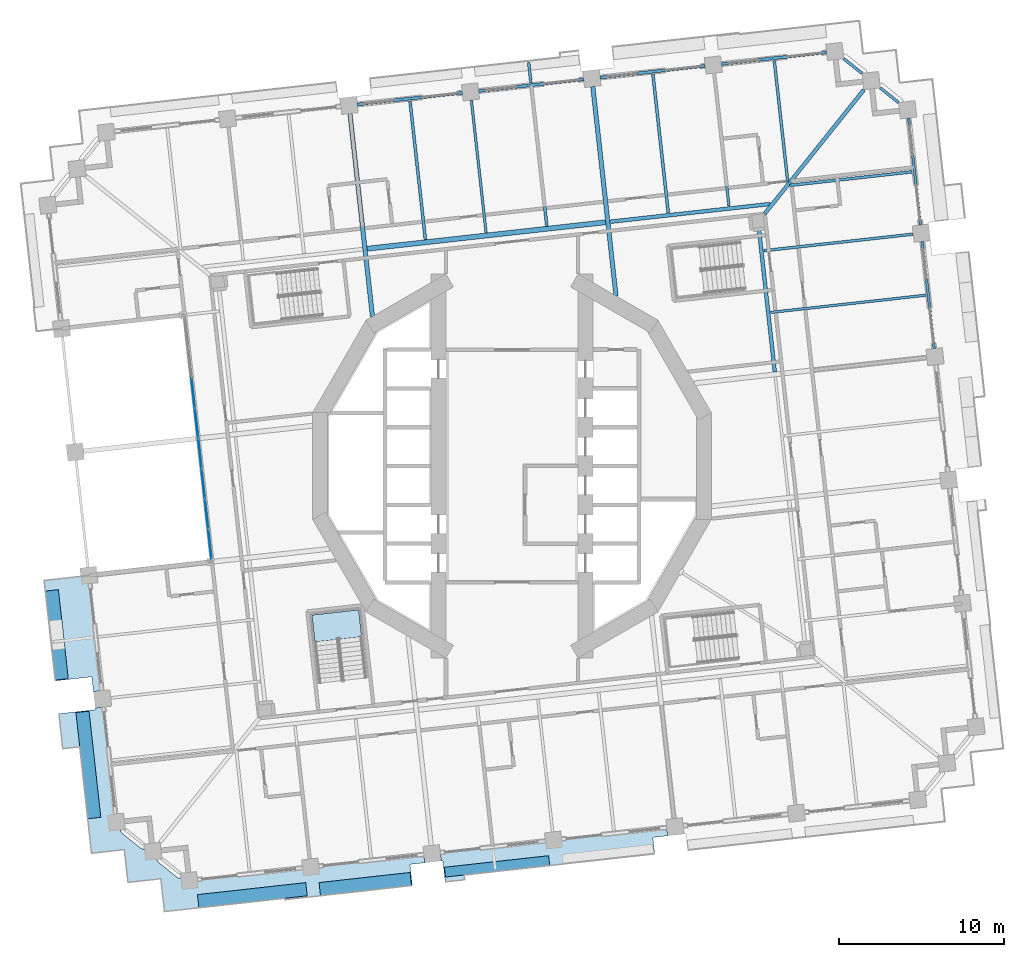
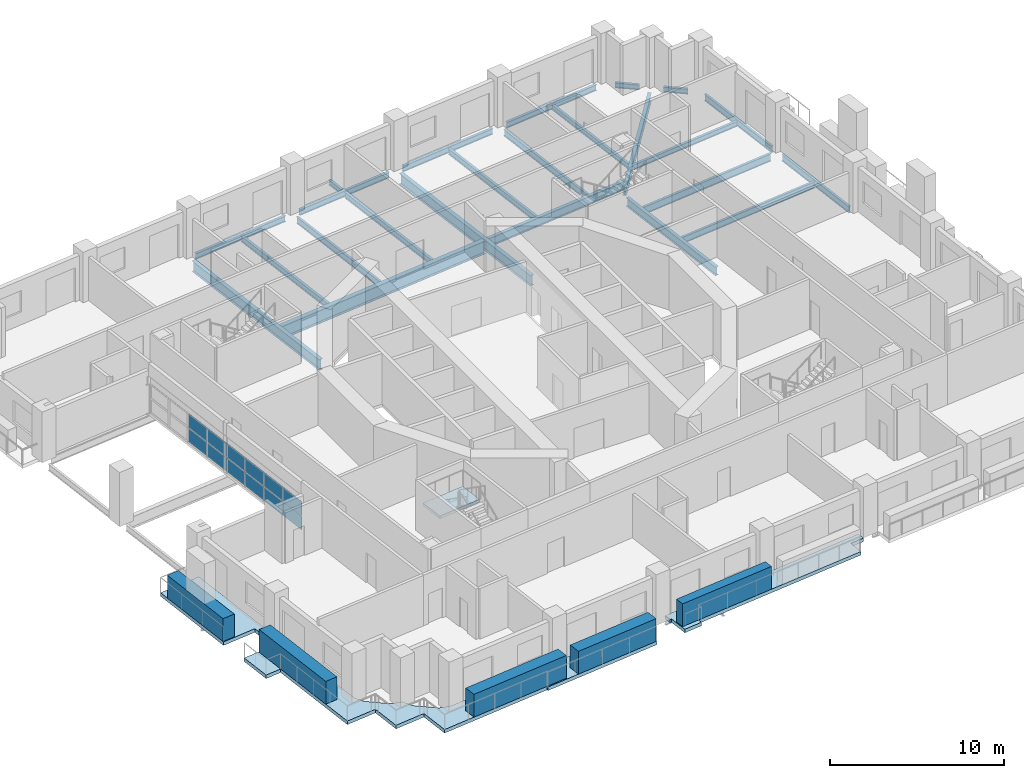
# One storey, part 5 of 21: 24 beams, 17 plates, 4 slabs, 2 elements without a shape of their own.
"""IFC4 building model written with IfcOpenShell, lengths in metres."""

import ifcopenshell
import ifcopenshell.guid

model = None  # the IFC model being written
_history = None  # IfcOwnerHistory: only IFC2X3 demands one
_inside = {}  # id of a spatial element -> (the spatial element, [elements in it])
_under = {}  # id of a project, library or spatial element -> (it, [spatial elements below it])
_declared = {}  # id of a project -> (the project, [libraries it declares])
_typed = {}  # id of a type object -> (the type object, [elements of that type])
_made_of = {}  # id of a material, layer set ... -> (it, [elements and type objects made of it])


def new_model(schema):
    """Start an empty IFC model of exactly this schema.

    Asked for "IFC4X3", IfcOpenShell would pick the latest addendum, in which some entities
    have other attributes; the version numbers below select the first issue.
    IFC2X3 requires an IfcOwnerHistory on every rooted entity: one is made here for all.
    """
    global model, _history
    if schema == "IFC4X3":
        model = ifcopenshell.file(schema_version=(4, 3, 0, 0))
    else:
        model = ifcopenshell.file(schema=schema)
    _inside.clear()
    _under.clear()
    _declared.clear()
    _typed.clear()
    _made_of.clear()
    _history = None
    if model.schema == "IFC2X3":
        org = make("IfcOrganization", Name="unknown")
        user = make(
            "IfcPersonAndOrganization",
            ThePerson=make("IfcPerson", FamilyName="unknown"),
            TheOrganization=org,
        )
        app = make(
            "IfcApplication",
            ApplicationDeveloper=org,
            Version="unknown",
            ApplicationFullName="unknown",
            ApplicationIdentifier="unknown",
        )
        _history = make(
            "IfcOwnerHistory",
            OwningUser=user,
            OwningApplication=app,
            ChangeAction="ADDED",
            CreationDate=0,
        )
    return model


def make(cls, **values):
    """One entity of the class cls with the attributes given. An attribute that is None is left unset."""
    return model.create_entity(
        cls, **{name: value for name, value in values.items() if value is not None}
    )


def rooted(cls, **values):
    """An entity with a GlobalId (a new one), such as an element, a storey or a relation."""
    return make(cls, GlobalId=ifcopenshell.guid.new(), OwnerHistory=_history, **values)


def si_unit(unit_type, name, prefix=None):
    """IfcSIUnit, for example si_unit("LENGTHUNIT", "METRE", prefix="MILLI")."""
    return make("IfcSIUnit", UnitType=unit_type, Prefix=prefix, Name=name)


def assignment(units):
    """IfcUnitAssignment: the units of a project."""
    return None if units is None else make("IfcUnitAssignment", Units=units)


def point(xyz):
    """IfcCartesianPoint."""
    return None if xyz is None else make("IfcCartesianPoint", Coordinates=xyz)


def direction(xyz):
    """IfcDirection."""
    return None if xyz is None else make("IfcDirection", DirectionRatios=xyz)


def frame(location, z_axis=None, x_axis=None):
    """IfcAxis2Placement3D, a coordinate frame: its origin and axes. An axis left out is left unset."""
    return make(
        "IfcAxis2Placement3D",
        Location=point(location),
        Axis=direction(z_axis),
        RefDirection=direction(x_axis),
    )


def frame_2d(location, x_axis=None):
    """IfcAxis2Placement2D, a coordinate frame in the plane: its origin and x axis."""
    return make(
        "IfcAxis2Placement2D", Location=point(location), RefDirection=direction(x_axis)
    )


def origin():
    """The frame at (0, 0, 0) with its axes left unset."""
    return frame((0.0, 0.0, 0.0))


def origin_2d():
    """The frame at (0, 0) in the plane with its x axis left unset."""
    return frame_2d((0.0, 0.0))


def place(relative_to, where):
    """IfcLocalPlacement: puts the frame where relative to a parent placement (None: the world)."""
    return make(
        "IfcLocalPlacement", PlacementRelTo=relative_to, RelativePlacement=where
    )


def context(
    kind, dimensions, precision=None, world=None, true_north=None, identifier=None
):
    """IfcGeometricRepresentationContext, for example the 3D "Model" context."""
    return make(
        "IfcGeometricRepresentationContext",
        ContextIdentifier=identifier,
        ContextType=kind,
        CoordinateSpaceDimension=dimensions,
        Precision=precision,
        WorldCoordinateSystem=world,
        TrueNorth=true_north,
    )


def subcontext(parent, identifier, kind, view, scale=None):
    """IfcGeometricRepresentationSubContext, for example "Body" below "Model"."""
    return make(
        "IfcGeometricRepresentationSubContext",
        ContextIdentifier=identifier,
        ContextType=kind,
        ParentContext=parent,
        TargetScale=scale,
        TargetView=view,
    )


def project(units=None, contexts=None):
    """IfcProject with its units and contexts."""
    return rooted(
        "IfcProject",
        Name="project",
        RepresentationContexts=contexts,
        UnitsInContext=assignment(units),
    )


def spatial(cls, under=None, at=None, **own):
    """A site, building, storey or space (cls), placed at a placement, below another one or the project."""
    s = rooted(cls, ObjectPlacement=at, **own)
    if under is not None:
        _under.setdefault(under.id(), (under, []))[1].append(s)
    return s


def polyline(points):
    """IfcPolyline through the points."""
    return make("IfcPolyline", Points=[point(p) for p in points])


def profile(cls, at=None, kind="AREA", **sizes):
    """A parametric profile (cls). Its sizes go by their IFC names, for example OverallWidth=200.0."""
    return make(cls, ProfileType=kind, Position=at, **sizes)


def rectangle(**sizes):
    """IfcRectangleProfileDef."""
    return profile("IfcRectangleProfileDef", **sizes)


def i_section(**sizes):
    """IfcIShapeProfileDef."""
    return profile("IfcIShapeProfileDef", **sizes)


def outline(outer, holes=None, kind="AREA"):
    """IfcArbitraryClosedProfileDef: a profile drawn as a closed curve; with holes, ...WithVoids."""
    if holes is None:
        return make("IfcArbitraryClosedProfileDef", ProfileType=kind, OuterCurve=outer)
    return make(
        "IfcArbitraryProfileDefWithVoids",
        ProfileType=kind,
        OuterCurve=outer,
        InnerCurves=holes,
    )


def extrude(swept, where, along, depth):
    """IfcExtrudedAreaSolid: the profile swept, set in the frame where, extruded along a direction by depth."""
    return make(
        "IfcExtrudedAreaSolid",
        SweptArea=swept,
        Position=where,
        ExtrudedDirection=direction(along),
        Depth=depth,
    )


def shape(context_of_items, identifier, shape_type, items):
    """IfcShapeRepresentation: the items that make up one representation, for example the "Body"."""
    return make(
        "IfcShapeRepresentation",
        ContextOfItems=context_of_items,
        RepresentationIdentifier=identifier,
        RepresentationType=shape_type,
        Items=items,
    )


def material(Name=None, Category=None):
    """IfcMaterial."""
    return make("IfcMaterial", Name=Name, Category=Category)


def layer(
    of_material, thickness, ventilated=None, Name=None, Category=None, Priority=None
):
    """IfcMaterialLayer: one layer of a wall or slab, of a material (None: an air gap)."""
    return make(
        "IfcMaterialLayer",
        Material=of_material,
        LayerThickness=thickness,
        IsVentilated=ventilated,
        Name=Name,
        Category=Category,
        Priority=Priority,
    )


def layer_set(layers, Name=None):
    """IfcMaterialLayerSet."""
    return make("IfcMaterialLayerSet", MaterialLayers=layers, LayerSetName=Name)


def material_profile(
    of_material, cross_section, Name=None, Category=None, Priority=None
):
    """IfcMaterialProfile: a cross section and its material."""
    return make(
        "IfcMaterialProfile",
        Name=Name,
        Material=of_material,
        Profile=cross_section,
        Priority=Priority,
        Category=Category,
    )


def profile_set(profiles, Name=None, composite=None):
    """IfcMaterialProfileSet."""
    return make(
        "IfcMaterialProfileSet",
        Name=Name,
        MaterialProfiles=profiles,
        CompositeProfile=composite,
    )


def made_of(thing, what):
    """Note that an element or type object is made of a material, layer set ...; save() writes the relation."""
    if what is not None:
        _made_of.setdefault(what.id(), (what, []))[1].append(thing)
    return thing


def type_object(cls, material=None, **own):
    """A type object (cls), such as IfcWallType, which elements share."""
    return made_of(rooted(cls, **own), material)


def element(
    cls,
    number,
    at=None,
    inside=None,
    cuts=None,
    type_object=None,
    material=None,
    context=None,
    identifier="Body",
    shape_type=None,
    held_by="IfcProductDefinitionShape",
    body=None,
    shapes=None,
    **own,
):
    """One element of the class cls, such as IfcWall. Its Tag is "e" and its number.

    at: its placement. inside: the storey or other place that contains it. cuts: it is an
    opening in that element (IfcRelVoidsElement). A single representation is given by context,
    identifier, shape_type and body (its items); several are given by shapes. held_by: the class
    of the entity that holds the representations. save() writes the other relations.
    """
    e = rooted(cls, Tag="e%d" % number, ObjectPlacement=at, **own)
    if body is not None:
        shapes = [shape(context, identifier, shape_type, body)]
    if shapes is not None:
        e.Representation = make(held_by, Representations=shapes)
    if inside is not None:
        _inside.setdefault(inside.id(), (inside, []))[1].append(e)
    if cuts is not None:
        rooted(
            "IfcRelVoidsElement", RelatingBuildingElement=cuts, RelatedOpeningElement=e
        )
    if type_object is not None:
        _typed.setdefault(type_object.id(), (type_object, []))[1].append(e)
    return made_of(e, material)


def aggregate(whole, parts):
    """IfcRelAggregates: a whole, such as a stair, and the parts it consists of."""
    return rooted("IfcRelAggregates", RelatingObject=whole, RelatedObjects=parts)


def save(model, path):
    """Write the relations noted so far, then the file.

    IfcRelAggregates (storeys below a building ...), IfcRelContainedInSpatialStructure (elements
    in a storey), IfcRelDefinesByType, IfcRelAssociatesMaterial and IfcRelDeclares: one each for
    every whole, place, type object, material and project.
    """
    for whole, parts in _under.values():
        aggregate(whole, parts)
    for where, things in _inside.values():
        rooted(
            "IfcRelContainedInSpatialStructure",
            RelatedElements=things,
            RelatingStructure=where,
        )
    for kind, things in _typed.values():
        rooted("IfcRelDefinesByType", RelatedObjects=things, RelatingType=kind)
    for what, things in _made_of.values():
        rooted("IfcRelAssociatesMaterial", RelatedObjects=things, RelatingMaterial=what)
    for by, libraries in _declared.values():
        rooted("IfcRelDeclares", RelatingContext=by, RelatedDefinitions=libraries)
    model.write(path)


model = new_model("IFC4")

# Units and contexts
model_context = context("Model", 3, precision=1e-05, world=origin(), true_north=direction((0.0, 1.0)))
body_context = subcontext(model_context, "Body", "Model", "MODEL_VIEW")
ifc_project = project(units=[si_unit("LENGTHUNIT", "METRE"), si_unit("AREAUNIT", "SQUARE_METRE"), si_unit("VOLUMEUNIT", "CUBIC_METRE"), si_unit("PLANEANGLEUNIT", "RADIAN"), si_unit("MASSUNIT", "GRAM", prefix="KILO")], contexts=[model_context])

# Site, building, storey
site_placement = place(None, origin())
site = spatial("IfcSite", under=ifc_project, at=site_placement, CompositionType="ELEMENT")
building_placement = place(site_placement, origin())
building = spatial("IfcBuilding", under=site, at=building_placement, Name="Cantera Rosa Tower", CompositionType="ELEMENT")
storey_placement = place(building_placement, frame((0.0, 0.0, 69.10009765625)))
storey = spatial("IfcBuildingStorey", under=building, at=storey_placement, Name="L14", CompositionType="ELEMENT", Elevation=69.10009765625)

# Beams
ifc_material_1 = material(Name="Steel ASTM A992 (Fy 345 MPa)", Category="steel")
ifc_material_profile_1 = material_profile(ifc_material_1, i_section(OverallWidth=0.154052734375, OverallDepth=0.4599609375, WebThickness=0.009033203125, FlangeThickness=0.015380859375, FilletRadius=0.01025390625, at=origin_2d()), Name="W460X68")
ifc_profile_set_1 = profile_set([ifc_material_profile_1], Name="Steel ASTM A992 (Fy 345 MPa)")
beam_type_1 = type_object("IfcBeamType", Name="STEEL BEAM W460X68", PredefinedType="BEAM", material=ifc_profile_set_1)
beam_1_placement = place(storey_placement, frame((12.249755859375, 23.796630859375, -0.47998046875), z_axis=(0.110312435488, -0.993896959738, 0.0), x_axis=(0.993896959738, 0.110312435488, 0.0)))
element("IfcBeam", 1, at=beam_1_placement, inside=storey, type_object=beam_type_1, Name="G-Z1-05 L14", PredefinedType="BEAM", context=body_context, shape_type="SweptSolid", body=[
    extrude(i_section(OverallWidth=0.154052734375, OverallDepth=0.4599609375, WebThickness=0.009033203125, FlangeThickness=0.015380859375, FilletRadius=0.01025390625, at=origin_2d()), origin(), (0.0, 0.0, 1.0), 8.10009765625),
])
beam_2_placement = place(storey_placement, frame((-2.4599609375, 22.163818359375, -0.47998046875), z_axis=(0.110315740112, -0.993896592953, 0.0), x_axis=(0.993896592953, 0.110315740112, 0.0)))
element("IfcBeam", 2, at=beam_2_placement, inside=storey, type_object=beam_type_1, Name="G-Z1-07 L14", PredefinedType="BEAM", context=body_context, shape_type="SweptSolid", body=[
    extrude(i_section(OverallWidth=0.154052734375, OverallDepth=0.4599609375, WebThickness=0.009033203125, FlangeThickness=0.015380859375, FilletRadius=0.01025390625, at=origin_2d()), origin(), (0.0, 0.0, 1.0), 8.099853515625),
])
ifc_material_2 = material(Name="Steel ASTM A992 (Fy 345 MPa)", Category="steel")
ifc_material_profile_2 = material_profile(ifc_material_2, i_section(OverallWidth=0.166015625, OverallDepth=0.528076171875, WebThickness=0.009765625, FlangeThickness=0.013671875, FilletRadius=0.0126953125, at=origin_2d()), Name="W530X74")
ifc_profile_set_2 = profile_set([ifc_material_profile_2], Name="Steel ASTM A992 (Fy 345 MPa)")
beam_type_2 = type_object("IfcBeamType", Name="STEEL BEAM W530X74", PredefinedType="BEAM", material=ifc_profile_set_2)
beam_3_placement = place(storey_placement, frame((24.298828125, 14.046142578125, -0.51416015625), z_axis=(-0.993896161189, -0.110319630049, 0.0), x_axis=(0.110319630049, -0.993896161189, 0.0)))
element("IfcBeam", 3, at=beam_3_placement, inside=storey, type_object=beam_type_2, Name="G-Z1-04 L14", PredefinedType="BEAM", context=body_context, shape_type="SweptSolid", body=[
    extrude(i_section(OverallWidth=0.166015625, OverallDepth=0.528076171875, WebThickness=0.009765625, FlangeThickness=0.013671875, FilletRadius=0.0126953125, at=origin_2d()), origin(), (0.0, 0.0, 1.0), 9.10009765625),
])
ifc_material_3 = material(Name="Steel ASTM A992 (Fy 345 MPa)", Category="steel")
ifc_material_profile_3 = material_profile(ifc_material_3, i_section(OverallWidth=0.22802734375, OverallDepth=0.60205078125, WebThickness=0.010498046875, FlangeThickness=0.014892578125, FilletRadius=0.0126953125, at=origin_2d()), Name="W610X101")
ifc_profile_set_3 = profile_set([ifc_material_profile_3], Name="Steel ASTM A992 (Fy 345 MPa)")
beam_type_3 = type_object("IfcBeamType", Name="STEEL BEAM W610X101", PredefinedType="BEAM", material=ifc_profile_set_3)
beam_4_placement = place(storey_placement, frame((21.31591796875, 22.79052734375, -0.551025390625), z_axis=(-0.624787924463, -0.780794498857, 0.0), x_axis=(0.780794498857, -0.624787924463, 0.0)))
element("IfcBeam", 4, at=beam_4_placement, inside=storey, type_object=beam_type_3, Name="CB-Z1-01 L14", PredefinedType="BEAM", context=body_context, shape_type="SweptSolid", body=[
    extrude(i_section(OverallWidth=0.22802734375, OverallDepth=0.60205078125, WebThickness=0.010498046875, FlangeThickness=0.014892578125, FilletRadius=0.0126953125, at=origin_2d()), origin(), (0.0, 0.0, 1.0), 9.616455078125),
])
beam_5_placement = place(storey_placement, frame((15.918212890625, 5.70068359375, -0.551025390625), z_axis=(-0.110298932846, 0.993898458301, 0.0), x_axis=(-0.993898458301, -0.110298932846, 0.0)))
element("IfcBeam", 5, at=beam_5_placement, inside=storey, type_object=beam_type_3, Name="RB-Z1-09 L14", PredefinedType="BEAM", context=body_context, shape_type="SweptSolid", body=[
    extrude(i_section(OverallWidth=0.22802734375, OverallDepth=0.60205078125, WebThickness=0.010498046875, FlangeThickness=0.014892578125, FilletRadius=0.0126953125, at=origin_2d()), origin(), (0.0, 0.0, 1.0), 8.68994140625),
])
ifc_material_4 = material(Name="Steel ASTM A992 (Fy 345 MPa)", Category="steel")
ifc_material_profile_4 = material_profile(ifc_material_4, i_section(OverallWidth=0.22900390625, OverallDepth=0.612060546875, WebThickness=0.011962890625, FlangeThickness=0.01953125, FilletRadius=0.0126953125, at=origin_2d()), Name="W610X125")
ifc_profile_set_4 = profile_set([ifc_material_profile_4], Name="Steel ASTM A992 (Fy 345 MPa)")
beam_type_4 = type_object("IfcBeamType", Name="STEEL BEAM W610X125", PredefinedType="BEAM", material=ifc_profile_set_4)
beam_6_placement = place(storey_placement, frame((5.9541015625, 14.797119140625, -0.55615234375), z_axis=(0.993898078625, 0.110302354035, 0.0), x_axis=(-0.110302354035, 0.993898078625, 0.0)))
element("IfcBeam", 6, at=beam_6_placement, inside=storey, type_object=beam_type_4, Name="RB-Z1-03 L14", PredefinedType="BEAM", context=body_context, shape_type="SweptSolid", body=[
    extrude(i_section(OverallWidth=0.22900390625, OverallDepth=0.612060546875, WebThickness=0.011962890625, FlangeThickness=0.01953125, FilletRadius=0.0126953125, at=origin_2d()), origin(), (0.0, 0.0, 1.0), 9.75),
])
ifc_material_5 = material(Name="Steel ASTM A992 (Fy 345 MPa)", Category="steel")
ifc_material_profile_5 = material_profile(ifc_material_5, i_section(OverallWidth=0.26708984375, OverallDepth=0.75390625, WebThickness=0.01318359375, FlangeThickness=0.01708984375, FilletRadius=0.0166015625, at=origin_2d()), Name="W760X147")
ifc_profile_set_5 = profile_set([ifc_material_profile_5], Name="Steel ASTM A992 (Fy 345 MPa)")
beam_type_5 = type_object("IfcBeamType", Name="STEEL BEAM W760X147", PredefinedType="BEAM", material=ifc_profile_set_5)
beam_7_placement = place(storey_placement, frame((4.894775390625, 22.980224609375, -0.627197265625), z_axis=(0.11031177493, -0.993897033053, 0.0), x_axis=(0.993897033053, 0.11031177493, 0.0)))
element("IfcBeam", 7, at=beam_7_placement, inside=storey, type_object=beam_type_5, Name="G-Z1-06 L14", PredefinedType="BEAM", context=body_context, shape_type="SweptSolid", body=[
    extrude(i_section(OverallWidth=0.26708984375, OverallDepth=0.75390625, WebThickness=0.01318359375, FlangeThickness=0.01708984375, FilletRadius=0.0166015625, at=origin_2d()), origin(), (0.0, 0.0, 1.0), 12.754638671875),
])
beam_8_placement = place(storey_placement, frame((-9.814697265625, 21.34765625, -0.627197265625), z_axis=(0.110292782244, -0.993899140851, 0.0), x_axis=(0.993899140851, 0.110292782244, 0.0)))
element("IfcBeam", 8, at=beam_8_placement, inside=storey, type_object=beam_type_5, Name="G-Z1-08 L14", PredefinedType="BEAM", context=body_context, shape_type="SweptSolid", body=[
    extrude(i_section(OverallWidth=0.26708984375, OverallDepth=0.75390625, WebThickness=0.01318359375, FlangeThickness=0.01708984375, FilletRadius=0.0166015625, at=origin_2d()), origin(), (0.0, 0.0, 1.0), 12.360595703125),
])
ifc_material_6 = material(Name="Steel ASTM A992 (Fy 345 MPa)", Category="steel")
ifc_material_profile_6 = material_profile(ifc_material_6, i_section(OverallWidth=0.304931640625, OverallDepth=0.9189453125, WebThickness=0.017333984375, FlangeThickness=0.02783203125, FilletRadius=0.01904296875, at=origin_2d()), Name="W920X253")
ifc_profile_set_6 = profile_set([ifc_material_profile_6], Name="Steel ASTM A992 (Fy 345 MPa)")
beam_type_6 = type_object("IfcBeamType", Name="STEEL BEAM W920X253", PredefinedType="BEAM", material=ifc_profile_set_6)
beam_9_placement = place(storey_placement, frame((-8.755615234375, 13.16455078125, -0.709716796875), z_axis=(0.993898099692, 0.110302164209, 0.0), x_axis=(-0.110302164209, 0.993898099692, 0.0)))
element("IfcBeam", 9, at=beam_9_placement, inside=storey, type_object=beam_type_6, Name="RB-Z1-02 L14", PredefinedType="BEAM", context=body_context, shape_type="SweptSolid", body=[
    extrude(i_section(OverallWidth=0.304931640625, OverallDepth=0.9189453125, WebThickness=0.017333984375, FlangeThickness=0.02783203125, FilletRadius=0.01904296875, at=origin_2d()), origin(), (0.0, 0.0, 1.0), 14.499755859375),
])
ifc_material_7 = material(Name="Steel ASTM A992 (Fy 345 MPa)", Category="steel")
ifc_material_profile_7 = material_profile(ifc_material_7, i_section(OverallWidth=0.1708984375, OverallDepth=0.35595703125, WebThickness=0.00732421875, FlangeThickness=0.01171875, FilletRadius=0.010009765625, at=origin_2d()), Name="W360X51")
ifc_profile_set_7 = profile_set([ifc_material_profile_7], Name="Steel ASTM A992 (Fy 345 MPa)")
beam_type_7 = type_object("IfcBeamType", Name="STEEL JOIST W360X51", PredefinedType="JOIST", material=ifc_profile_set_7)
beam_10_placement = place(storey_placement, frame((24.23193359375, 17.82177734375, -0.427978515625), z_axis=(-0.993899688369, -0.110287848199, 0.0), x_axis=(0.110287848199, -0.993899688369, 0.0)))
element("IfcBeam", 10, at=beam_10_placement, inside=storey, type_object=beam_type_7, Name="B-Z1-05 L14", PredefinedType="JOIST", context=body_context, shape_type="SweptSolid", body=[
    extrude(i_section(OverallWidth=0.1708984375, OverallDepth=0.35595703125, WebThickness=0.00732421875, FlangeThickness=0.01171875, FilletRadius=0.010009765625, at=origin_2d()), origin(), (0.0, 0.0, 1.0), 7.4599609375),
])
beam_11_placement = place(storey_placement, frame((15.888427734375, 24.552490234375, -0.427978515625), z_axis=(0.110326513132, -0.993895397162, 0.0), x_axis=(0.993895397162, 0.110326513132, 0.0)))
element("IfcBeam", 11, at=beam_11_placement, inside=storey, type_object=beam_type_7, Name="B-Z1-06 L14", PredefinedType="JOIST", context=body_context, shape_type="SweptSolid", body=[
    extrude(i_section(OverallWidth=0.1708984375, OverallDepth=0.35595703125, WebThickness=0.00732421875, FlangeThickness=0.01171875, FilletRadius=0.010009765625, at=origin_2d()), origin(), (0.0, 0.0, 1.0), 7.39990234375),
])
beam_12_placement = place(storey_placement, frame((1.14794921875, 23.1982421875, -0.427978515625), z_axis=(-0.110345783203, 0.993893257915, 0.0), x_axis=(-0.993893257915, -0.110345783203, 0.0)))
element("IfcBeam", 12, at=beam_12_placement, inside=storey, type_object=beam_type_7, Name="BS-Z1-15 L14", PredefinedType="JOIST", context=body_context, shape_type="SweptSolid", body=[
    extrude(i_section(OverallWidth=0.1708984375, OverallDepth=0.35595703125, WebThickness=0.00732421875, FlangeThickness=0.01171875, FilletRadius=0.010009765625, at=origin_2d()), origin(), (0.0, 0.0, 1.0), 1.25),
])
ifc_material_8 = material(Name="Steel ASTM A992 (Fy 345 MPa)", Category="steel")
ifc_material_profile_8 = material_profile(ifc_material_8, i_section(OverallWidth=0.177978515625, OverallDepth=0.406005859375, WebThickness=0.0078125, FlangeThickness=0.0126953125, FilletRadius=0.01025390625, at=origin_2d()), Name="W410X60")
ifc_profile_set_8 = profile_set([ifc_material_profile_8], Name="Steel ASTM A992 (Fy 345 MPa)")
beam_type_8 = type_object("IfcBeamType", Name="STEEL JOIST W410X60", PredefinedType="JOIST", material=ifc_profile_set_8)
for number, where, z_axis, x_axis, name in (
    (13, (8.53369140625, 23.736328125, -0.453125), (0.110311022989, -0.99389711651, 0.0), (0.99389711651, 0.110311022989, 0.0), "B-Z1-07 L14"),
    (14, (1.178955078125, 22.919921875, -0.453125), (0.110311022989, -0.99389711651, 0.0), (0.99389711651, 0.110311022989, 0.0), "B-Z1-08 L14"),
    (15, (-6.176025390625, 22.103515625, -0.453125), (0.110311022989, -0.99389711651, 0.0), (0.99389711651, 0.110311022989, 0.0), "B-Z1-09 L14"),
):
    element("IfcBeam", number, at=place(storey_placement, frame(where, z_axis=z_axis, x_axis=x_axis)), inside=storey, type_object=beam_type_8, Name=name, PredefinedType="JOIST", context=body_context, shape_type="SweptSolid", body=[
        extrude(i_section(OverallWidth=0.177978515625, OverallDepth=0.406005859375, WebThickness=0.0078125, FlangeThickness=0.0126953125, FilletRadius=0.01025390625, at=origin_2d()), origin(), (0.0, 0.0, 1.0), 8.449951171875),
    ])
ifc_material_9 = material(Name="Steel ASTM A992 (Fy 345 MPa)", Category="steel")
ifc_material_profile_9 = material_profile(ifc_material_9, i_section(OverallWidth=0.154052734375, OverallDepth=0.4599609375, WebThickness=0.009033203125, FlangeThickness=0.015380859375, FilletRadius=0.01025390625, at=origin_2d()), Name="W460X68")
ifc_profile_set_9 = profile_set([ifc_material_profile_9], Name="Steel ASTM A992 (Fy 345 MPa)")
beam_type_9 = type_object("IfcBeamType", Name="STEEL JOIST W460X68", PredefinedType="JOIST", material=ifc_profile_set_9)
beam_13_placement = place(storey_placement, frame((25.0615234375, 10.34765625, -0.47998046875), z_axis=(-0.993896645353, -0.110315268011, 0.0), x_axis=(0.110315268011, -0.993896645353, 0.0)))
element("IfcBeam", 16, at=beam_13_placement, inside=storey, type_object=beam_type_9, Name="B-Z1-04 L14", PredefinedType="JOIST", context=body_context, shape_type="SweptSolid", body=[
    extrude(i_section(OverallWidth=0.154052734375, OverallDepth=0.4599609375, WebThickness=0.009033203125, FlangeThickness=0.015380859375, FilletRadius=0.01025390625, at=origin_2d()), origin(), (0.0, 0.0, 1.0), 9.449951171875),
])
ifc_material_10 = material(Name="Steel ASTM A992 (Fy 345 MPa)", Category="steel")
ifc_material_profile_10 = material_profile(ifc_material_10, i_section(OverallWidth=0.1708984375, OverallDepth=0.35595703125, WebThickness=0.00732421875, FlangeThickness=0.01171875, FilletRadius=0.010009765625, at=origin_2d()), Name="W360X51")
ifc_profile_set_10 = profile_set([ifc_material_profile_10], Name="Steel ASTM A992 (Fy 345 MPa)")
beam_type_10 = type_object("IfcBeamType", Name="STEEL SPANDREL BEAM W360X51", PredefinedType="SPANDREL", material=ifc_profile_set_10)
for number, where, z_axis, x_axis, name in (
    (17, (23.4140625, 22.017333984375, -0.427978515625), (-0.780818280208, 0.624758203863, 0.0), (-0.624758203863, -0.780818280208, 0.0), "EB-Z1-06 L14"),
    (18, (21.205810546875, 23.784423828125, -0.427978515625), (-0.780818280208, 0.624758203863, 0.0), (-0.624758203863, -0.780818280208, 0.0), "EB-Z1-07 L14"),
):
    element("IfcBeam", number, at=place(storey_placement, frame(where, z_axis=z_axis, x_axis=x_axis)), inside=storey, type_object=beam_type_10, Name=name, PredefinedType="SPANDREL", context=body_context, shape_type="SweptSolid", body=[
        extrude(i_section(OverallWidth=0.1708984375, OverallDepth=0.35595703125, WebThickness=0.00732421875, FlangeThickness=0.01171875, FilletRadius=0.010009765625, at=origin_2d()), origin(), (0.0, 0.0, 1.0), 1.414306640625),
    ])
ifc_material_11 = material(Name="Steel ASTM A992 (Fy 345 MPa)", Category="steel")
ifc_material_profile_11 = material_profile(ifc_material_11, i_section(OverallWidth=0.177978515625, OverallDepth=0.406005859375, WebThickness=0.0078125, FlangeThickness=0.0126953125, FilletRadius=0.01025390625, at=origin_2d()), Name="W410X60")
ifc_profile_set_11 = profile_set([ifc_material_profile_11], Name="Steel ASTM A992 (Fy 345 MPa)")
beam_type_11 = type_object("IfcBeamType", Name="STEEL SPANDREL BEAM W410X60", PredefinedType="SPANDREL", material=ifc_profile_set_11)
beam_14_placement = place(storey_placement, frame((19.052490234375, 25.0546875, -0.453125), z_axis=(-0.993896288542, -0.110318482689, 0.0), x_axis=(0.110318482689, -0.993896288542, 0.0)))
element("IfcBeam", 19, at=beam_14_placement, inside=storey, type_object=beam_type_11, Name="EB-Z1-08 L14", PredefinedType="SPANDREL", context=body_context, shape_type="SweptSolid", body=[
    extrude(i_section(OverallWidth=0.177978515625, OverallDepth=0.406005859375, WebThickness=0.0078125, FlangeThickness=0.0126953125, FilletRadius=0.01025390625, at=origin_2d()), origin(), (0.0, 0.0, 1.0), 6.400146484375),
])
for number, where, z_axis, x_axis, name in (
    (20, (11.697509765625, 24.23828125, -0.453125), (-0.993895824271, -0.110322665379, 0.0), (0.110322665379, -0.993895824271, 0.0), "EB-Z1-09 L14"),
    (21, (4.3427734375, 23.422119140625, -0.453125), (-0.993895824271, -0.110322665379, 0.0), (0.110322665379, -0.993895824271, 0.0), "EB-Z1-10 L14"),
):
    element("IfcBeam", number, at=place(storey_placement, frame(where, z_axis=z_axis, x_axis=x_axis)), inside=storey, type_object=beam_type_11, Name=name, PredefinedType="SPANDREL", context=body_context, shape_type="SweptSolid", body=[
        extrude(i_section(OverallWidth=0.177978515625, OverallDepth=0.406005859375, WebThickness=0.0078125, FlangeThickness=0.0126953125, FilletRadius=0.01025390625, at=origin_2d()), origin(), (0.0, 0.0, 1.0), 6.39990234375),
    ])
beam_15_placement = place(storey_placement, frame((-3.011962890625, 22.605712890625, -0.453125), z_axis=(-0.993896288542, -0.110318482689, 0.0), x_axis=(0.110318482689, -0.993896288542, 0.0)))
element("IfcBeam", 22, at=beam_15_placement, inside=storey, type_object=beam_type_11, Name="EB-Z1-11 L14", PredefinedType="SPANDREL", context=body_context, shape_type="SweptSolid", body=[
    extrude(i_section(OverallWidth=0.177978515625, OverallDepth=0.406005859375, WebThickness=0.0078125, FlangeThickness=0.0126953125, FilletRadius=0.01025390625, at=origin_2d()), origin(), (0.0, 0.0, 1.0), 6.400146484375),
])
ifc_material_12 = material(Name="Steel ASTM A992 (Fy 345 MPa)", Category="steel")
ifc_material_profile_12 = material_profile(ifc_material_12, i_section(OverallWidth=0.154052734375, OverallDepth=0.4599609375, WebThickness=0.009033203125, FlangeThickness=0.015380859375, FilletRadius=0.01025390625, at=origin_2d()), Name="W460X68")
ifc_profile_set_12 = profile_set([ifc_material_profile_12], Name="Steel ASTM A992 (Fy 345 MPa)")
beam_type_12 = type_object("IfcBeamType", Name="STEEL SPANDREL BEAM W460X68", PredefinedType="SPANDREL", material=ifc_profile_set_12)
for number, where, z_axis, x_axis, name in (
    (23, (25.570068359375, 7.124267578125, -0.47998046875), (-0.110312341265, 0.993896970196, 0.0), (-0.993896970196, -0.110312341265, 0.0), "EB-Z1-04 L14"),
    (24, (24.74072265625, 14.598388671875, -0.47998046875), (-0.110312341265, 0.993896970196, 0.0), (-0.993896970196, -0.110312341265, 0.0), "EB-Z1-05 L14"),
):
    element("IfcBeam", number, at=place(storey_placement, frame(where, z_axis=z_axis, x_axis=x_axis)), inside=storey, type_object=beam_type_12, Name=name, PredefinedType="SPANDREL", context=body_context, shape_type="SweptSolid", body=[
        extrude(i_section(OverallWidth=0.154052734375, OverallDepth=0.4599609375, WebThickness=0.009033203125, FlangeThickness=0.015380859375, FilletRadius=0.01025390625, at=origin_2d()), origin(), (0.0, 0.0, 1.0), 6.52001953125),
    ])

# Curtain wall, plates
ifc_material_13 = material(Name="Aluminium frame with clear glass", Category="aluminium")
curtain_wall_type = type_object("IfcCurtainWallType", Name="CW1 TERRACE POCKET GLAZING", PredefinedType="NOTDEFINED", material=ifc_material_13)
curtain_wall_placement = place(storey_placement, origin())
curtain_wall = element("IfcCurtainWall", 25, at=curtain_wall_placement, inside=storey, type_object=curtain_wall_type, Name="CW1 CW1", PredefinedType="NOTDEFINED")
ifc_material_14 = material(Name="Aluminium frame with clear glass", Category="aluminium")
ifc_layer_1 = layer(ifc_material_14, 0.028076171875)
ifc_layer_set_1 = layer_set([ifc_layer_1], Name="CW-PANEL POCKET")
plate_type_1 = type_object("IfcPlateType", Name="CW-PANEL POCKET", PredefinedType="CURTAIN_PANEL", material=ifc_layer_set_1)
plate_1_placement = place(storey_placement, frame((-19.306640625, 4.430419921875, 0.06005859375), z_axis=(0.0, 0.0, 1.0), x_axis=(0.110312555508, -0.993896946417, 0.0)))
plate_1 = element("IfcPlate", 26, at=plate_1_placement, type_object=plate_type_1, Name="CW1 panel 3.1", PredefinedType="CURTAIN_PANEL", context=body_context, shape_type="SweptSolid", body=[
    extrude(rectangle(XDim=1.788818359375, YDim=0.028076171875, at=origin_2d()), origin(), (0.0, 0.0, 1.0), 0.9619140625),
])
plate_2_placement = place(storey_placement, frame((-19.306640625, 4.430419921875, 1.08203125), z_axis=(0.0, 0.0, 1.0), x_axis=(0.110312555508, -0.993896946417, 0.0)))
plate_2 = element("IfcPlate", 27, at=plate_2_placement, type_object=plate_type_1, Name="CW1 panel 3.2", PredefinedType="CURTAIN_PANEL", context=body_context, shape_type="SweptSolid", body=[
    extrude(rectangle(XDim=1.788818359375, YDim=0.028076171875, at=origin_2d()), origin(), (0.0, 0.0, 1.0), 0.9619140625),
])
plate_3_placement = place(storey_placement, frame((-19.1025390625, 2.593017578125, 0.06005859375), z_axis=(0.0, 0.0, 1.0), x_axis=(0.110312555508, -0.993896946417, 0.0)))
plate_3 = element("IfcPlate", 28, at=plate_3_placement, type_object=plate_type_1, Name="CW1 panel 4.1", PredefinedType="CURTAIN_PANEL", context=body_context, shape_type="SweptSolid", body=[
    extrude(rectangle(XDim=1.788818359375, YDim=0.028076171875, at=origin_2d()), origin(), (0.0, 0.0, 1.0), 0.9619140625),
])
plate_4_placement = place(storey_placement, frame((-19.1025390625, 2.593017578125, 1.08203125), z_axis=(0.0, 0.0, 1.0), x_axis=(0.110312555508, -0.993896946417, 0.0)))
plate_4 = element("IfcPlate", 29, at=plate_4_placement, type_object=plate_type_1, Name="CW1 panel 4.2", PredefinedType="CURTAIN_PANEL", context=body_context, shape_type="SweptSolid", body=[
    extrude(rectangle(XDim=1.788818359375, YDim=0.028076171875, at=origin_2d()), origin(), (0.0, 0.0, 1.0), 0.9619140625),
])
plate_5_placement = place(storey_placement, frame((-18.898681640625, 0.75537109375, 0.06005859375), z_axis=(0.0, 0.0, 1.0), x_axis=(0.110312555508, -0.993896946417, 0.0)))
plate_5 = element("IfcPlate", 30, at=plate_5_placement, type_object=plate_type_1, Name="CW1 panel 5.1", PredefinedType="CURTAIN_PANEL", context=body_context, shape_type="SweptSolid", body=[
    extrude(rectangle(XDim=1.788818359375, YDim=0.028076171875, at=origin_2d()), origin(), (0.0, 0.0, 1.0), 0.9619140625),
])
plate_6_placement = place(storey_placement, frame((-18.898681640625, 0.75537109375, 1.08203125), z_axis=(0.0, 0.0, 1.0), x_axis=(0.110312555508, -0.993896946417, 0.0)))
plate_6 = element("IfcPlate", 31, at=plate_6_placement, type_object=plate_type_1, Name="CW1 panel 5.2", PredefinedType="CURTAIN_PANEL", context=body_context, shape_type="SweptSolid", body=[
    extrude(rectangle(XDim=1.788818359375, YDim=0.028076171875, at=origin_2d()), origin(), (0.0, 0.0, 1.0), 0.9619140625),
])
plate_7_placement = place(storey_placement, frame((-18.69482421875, -1.08203125, 0.06005859375), z_axis=(0.0, 0.0, 1.0), x_axis=(0.110312555508, -0.993896946417, 0.0)))
plate_7 = element("IfcPlate", 32, at=plate_7_placement, type_object=plate_type_1, Name="CW1 panel 6.1", PredefinedType="CURTAIN_PANEL", context=body_context, shape_type="SweptSolid", body=[
    extrude(rectangle(XDim=1.788818359375, YDim=0.028076171875, at=origin_2d()), origin(), (0.0, 0.0, 1.0), 0.9619140625),
])
plate_8_placement = place(storey_placement, frame((-18.69482421875, -1.08203125, 1.08203125), z_axis=(0.0, 0.0, 1.0), x_axis=(0.110312555508, -0.993896946417, 0.0)))
plate_8 = element("IfcPlate", 33, at=plate_8_placement, type_object=plate_type_1, Name="CW1 panel 6.2", PredefinedType="CURTAIN_PANEL", context=body_context, shape_type="SweptSolid", body=[
    extrude(rectangle(XDim=1.788818359375, YDim=0.028076171875, at=origin_2d()), origin(), (0.0, 0.0, 1.0), 0.9619140625),
])
plate_9_placement = place(storey_placement, frame((-18.49072265625, -2.91943359375, 0.06005859375), z_axis=(0.0, 0.0, 1.0), x_axis=(0.110312555508, -0.993896946417, 0.0)))
plate_9 = element("IfcPlate", 34, at=plate_9_placement, type_object=plate_type_1, Name="CW1 panel 7.1", PredefinedType="CURTAIN_PANEL", context=body_context, shape_type="SweptSolid", body=[
    extrude(rectangle(XDim=1.788818359375, YDim=0.028076171875, at=origin_2d()), origin(), (0.0, 0.0, 1.0), 0.9619140625),
])
plate_10_placement = place(storey_placement, frame((-18.49072265625, -2.91943359375, 1.08203125), z_axis=(0.0, 0.0, 1.0), x_axis=(0.110312555508, -0.993896946417, 0.0)))
plate_10 = element("IfcPlate", 35, at=plate_10_placement, type_object=plate_type_1, Name="CW1 panel 7.2", PredefinedType="CURTAIN_PANEL", context=body_context, shape_type="SweptSolid", body=[
    extrude(rectangle(XDim=1.788818359375, YDim=0.028076171875, at=origin_2d()), origin(), (0.0, 0.0, 1.0), 0.9619140625),
])
plate_11_placement = place(storey_placement, frame((-18.28857421875, -4.741943359375, 0.06005859375), z_axis=(0.0, 0.0, 1.0), x_axis=(0.110312555508, -0.993896946417, 0.0)))
plate_11 = element("IfcPlate", 36, at=plate_11_placement, type_object=plate_type_1, Name="CW1 panel 8.1", PredefinedType="CURTAIN_PANEL", context=body_context, shape_type="SweptSolid", body=[
    extrude(rectangle(XDim=1.7587890625, YDim=0.028076171875, at=origin_2d()), origin(), (0.0, 0.0, 1.0), 0.9619140625),
])
plate_12_placement = place(storey_placement, frame((-18.28857421875, -4.741943359375, 1.08203125), z_axis=(0.0, 0.0, 1.0), x_axis=(0.110312555508, -0.993896946417, 0.0)))
plate_12 = element("IfcPlate", 37, at=plate_12_placement, type_object=plate_type_1, Name="CW1 panel 8.2", PredefinedType="CURTAIN_PANEL", context=body_context, shape_type="SweptSolid", body=[
    extrude(rectangle(XDim=1.7587890625, YDim=0.028076171875, at=origin_2d()), origin(), (0.0, 0.0, 1.0), 0.9619140625),
])
aggregate(curtain_wall, [plate_1, plate_2, plate_3, plate_4, plate_5, plate_6, plate_7, plate_8, plate_9, plate_10, plate_11, plate_12])

# Slabs
ifc_material_15 = material(Name="Concrete C35/45", Category="concrete")
ifc_layer_2 = layer(ifc_material_15, 0.25)
ifc_layer_set_2 = layer_set([ifc_layer_2], Name="LOGGIA SLAB 250 C35/45")
slab_type_1 = type_object("IfcSlabType", Name="LOGGIA SLAB 250 C35/45", PredefinedType="FLOOR", material=ifc_layer_set_2)
slab_1_placement = place(storey_placement, frame((0.0, 0.0, -0.25)))
element("IfcSlab", 38, at=slab_1_placement, inside=storey, type_object=slab_type_1, Name="LOGGIA SLAB L14 1", PredefinedType="FLOOR", context=body_context, shape_type="SweptSolid", body=[
    extrude(outline(polyline([(-25.347900390625, -13.65966796875), (-25.447265625, -12.764892578125), (-27.666259765625, -13.01123046875), (-28.34130859375, -6.9287109375), (-25.625244140625, -6.627197265625), (-24.850830078125, -13.6044921875), (-25.347900390625, -13.65966796875)])), origin(), (0.0, 0.0, 1.0), 0.25),
])
slab_2_placement = place(storey_placement, frame((0.0, 0.0, -0.25)))
element("IfcSlab", 39, at=slab_2_placement, inside=storey, type_object=slab_type_1, Name="LOGGIA SLAB L14 3", PredefinedType="FLOOR", context=body_context, shape_type="SweptSolid", body=[
    extrude(outline(polyline([(-19.36181640625, -26.79931640625), (-21.051513671875, -26.98681640625), (-21.239013671875, -25.29736328125), (-21.272216796875, -24.999267578125), (-21.5703125, -25.0322265625), (-23.260009765625, -25.2197265625), (-23.447509765625, -23.5302734375), (-23.48046875, -23.23193359375), (-23.77880859375, -23.26513671875), (-25.46826171875, -23.45263671875), (-25.65576171875, -21.762939453125), (-26.183837890625, -17.0048828125), (-27.21044921875, -17.118896484375), (-27.445556640625, -14.9990234375), (-25.2265625, -14.752685546875), (-25.237548828125, -14.653564453125), (-24.740478515625, -14.598388671875), (-23.96630859375, -21.575439453125), (-23.677001953125, -22.161865234375), (-23.66162109375, -22.18701171875), (-23.643798828125, -22.21044921875), (-23.62353515625, -22.23193359375), (-23.6015625, -22.25146484375), (-22.497314453125, -23.135009765625), (-22.473388671875, -23.15234375), (-22.447998046875, -23.1669921875), (-22.42138671875, -23.179443359375), (-22.393310546875, -23.18896484375), (-21.7578125, -23.342529296875), (-21.468505859375, -23.92919921875), (-21.453125, -23.9541015625), (-21.435302734375, -23.9775390625), (-21.415283203125, -23.999267578125), (-21.39306640625, -24.018798828125), (-20.288818359375, -24.902099609375), (-20.26513671875, -24.91943359375), (-20.239501953125, -24.934326171875), (-20.212890625, -24.946533203125), (-20.18505859375, -24.9560546875), (-19.54931640625, -25.10986328125), (-18.642578125, -25.00927734375), (-5.336669921875, -23.5322265625), (-5.281494140625, -24.029296875), (-6.176025390625, -24.12841796875), (-6.0341796875, -25.406005859375), (-13.77197265625, -26.2646484375), (-13.78125, -26.179931640625), (-19.36181640625, -26.79931640625)])), origin(), (0.0, 0.0, 1.0), 0.25),
])
slab_3_placement = place(storey_placement, frame((0.0, 0.0, -0.25)))
element("IfcSlab", 40, at=slab_3_placement, inside=storey, type_object=slab_type_1, Name="LOGGIA SLAB L14 5", PredefinedType="FLOOR", context=body_context, shape_type="SweptSolid", body=[
    extrude(outline(polyline([(-4.188232421875, -23.907958984375), (-4.28759765625, -23.9189453125), (-4.3427734375, -23.422119140625), (9.373046875, -21.899658203125), (9.42822265625, -22.396484375), (8.53369140625, -22.495849609375), (8.64404296875, -23.48974609375), (8.544677734375, -23.5009765625), (4.17138671875, -23.986083984375), (1.189697265625, -24.317138671875), (-2.89990234375, -24.77099609375), (-2.868408203125, -25.054443359375), (-4.04638671875, -25.185302734375), (-4.188232421875, -23.907958984375)])), origin(), (0.0, 0.0, 1.0), 0.25),
])

# Plates
ifc_material_16 = material(Name="Cantera stone planter with soil", Category="masonry")
plate_type_2 = type_object("IfcPlateType", Name="PLANTER 600", PredefinedType="USERDEFINED", material=ifc_material_16)
plate_13_placement = place(storey_placement, frame((-0.90576171875, -24.247802734375, -0.000244140625), z_axis=(0.0, 0.0, 1.0), x_axis=(0.993896946415, 0.110312555526, 0.0)))
element("IfcPlate", 41, at=plate_13_placement, inside=storey, type_object=plate_type_2, Name="PLANTER L14-19", ObjectType="PLANTER", PredefinedType="USERDEFINED", context=body_context, shape_type="SweptSolid", body=[
    extrude(rectangle(XDim=6.35009765625, YDim=0.60009765625, at=origin_2d()), origin(), (0.0, 0.0, 1.0), 1.60009765625),
])
ifc_material_17 = material(Name="Cantera stone planter with soil", Category="masonry")
plate_type_3 = type_object("IfcPlateType", Name="PLANTER 800", PredefinedType="USERDEFINED", material=ifc_material_17)
plate_14_placement = place(storey_placement, frame((-27.5732421875, -10.22412109375, -0.000244140625), z_axis=(0.0, 0.0, 1.0), x_axis=(0.110312555526, -0.993896946415, 0.0)))
element("IfcPlate", 42, at=plate_14_placement, inside=storey, type_object=plate_type_3, Name="PLANTER L14-15", ObjectType="PLANTER", PredefinedType="USERDEFINED", context=body_context, shape_type="SweptSolid", body=[
    extrude(rectangle(XDim=5.419921875, YDim=0.800048828125, at=origin_2d()), origin(), (0.0, 0.0, 1.0), 1.60009765625),
])
plate_15_placement = place(storey_placement, frame((-25.6591796875, -18.10595703125, -0.000244140625), z_axis=(0.0, 0.0, 1.0), x_axis=(0.110312555526, -0.993896946415, 0.0)))
element("IfcPlate", 43, at=plate_15_placement, inside=storey, type_object=plate_type_3, Name="PLANTER L14-16", ObjectType="PLANTER", PredefinedType="USERDEFINED", context=body_context, shape_type="SweptSolid", body=[
    extrude(rectangle(XDim=6.469970703125, YDim=0.800048828125, at=origin_2d()), origin(), (0.0, 0.0, 1.0), 1.60009765625),
])
plate_16_placement = place(storey_placement, frame((-15.728515625, -25.99365234375, -0.000244140625), z_axis=(0.0, 0.0, 1.0), x_axis=(0.993896946415, 0.110312555526, 0.0)))
element("IfcPlate", 44, at=plate_16_placement, inside=storey, type_object=plate_type_3, Name="PLANTER L14-17", ObjectType="PLANTER", PredefinedType="USERDEFINED", context=body_context, shape_type="SweptSolid", body=[
    extrude(rectangle(XDim=6.60009765625, YDim=0.800048828125, at=origin_2d()), origin(), (0.0, 0.0, 1.0), 1.60009765625),
])
plate_17_placement = place(storey_placement, frame((-8.88623046875, -25.320068359375, -0.000244140625), z_axis=(0.0, 0.0, 1.0), x_axis=(0.993896946415, 0.110312555526, 0.0)))
element("IfcPlate", 45, at=plate_17_placement, inside=storey, type_object=plate_type_3, Name="PLANTER L14-18", ObjectType="PLANTER", PredefinedType="USERDEFINED", context=body_context, shape_type="SweptSolid", body=[
    extrude(rectangle(XDim=5.550048828125, YDim=0.800048828125, at=origin_2d()), origin(), (0.0, 0.0, 1.0), 1.60009765625),
])

# Stair, slab
ifc_material_18 = material(Name="Concrete C35/45", Category="concrete")
stair_type = type_object("IfcStairType", Name="EXIT STAIR 1350 DOGLEG", PredefinedType="HALF_TURN_STAIR", material=ifc_material_18)
stair_placement = place(storey_placement, origin())
stair = element("IfcStair", 46, at=stair_placement, inside=storey, type_object=stair_type, Name="L14 ST-13", PredefinedType="HALF_TURN_STAIR")
ifc_material_19 = material(Name="Concrete C35/45", Category="concrete")
ifc_layer_3 = layer(ifc_material_19, 0.199951171875)
ifc_layer_set_3 = layer_set([ifc_layer_3], Name="STAIR LANDING 200")
slab_type_2 = type_object("IfcSlabType", Name="STAIR LANDING 200", PredefinedType="LANDING", material=ifc_layer_set_3)
slab_4_placement = place(storey_placement, frame((0.0, 0.0, 1.699951171875)))
slab_4 = element("IfcSlab", 47, at=slab_4_placement, type_object=slab_type_2, Name="ST-13 landing 1", PredefinedType="LANDING", context=body_context, shape_type="SweptSolid", body=[
    extrude(outline(polyline([(-9.10595703125, -10.341552734375), (-9.287109375, -8.70947265625), (-12.11962890625, -9.02392578125), (-11.9384765625, -10.656005859375), (-9.10595703125, -10.341552734375)])), origin(), (0.0, 0.0, 1.0), 0.199951171875),
])
aggregate(stair, [slab_4])

save(model, "model.ifc")
